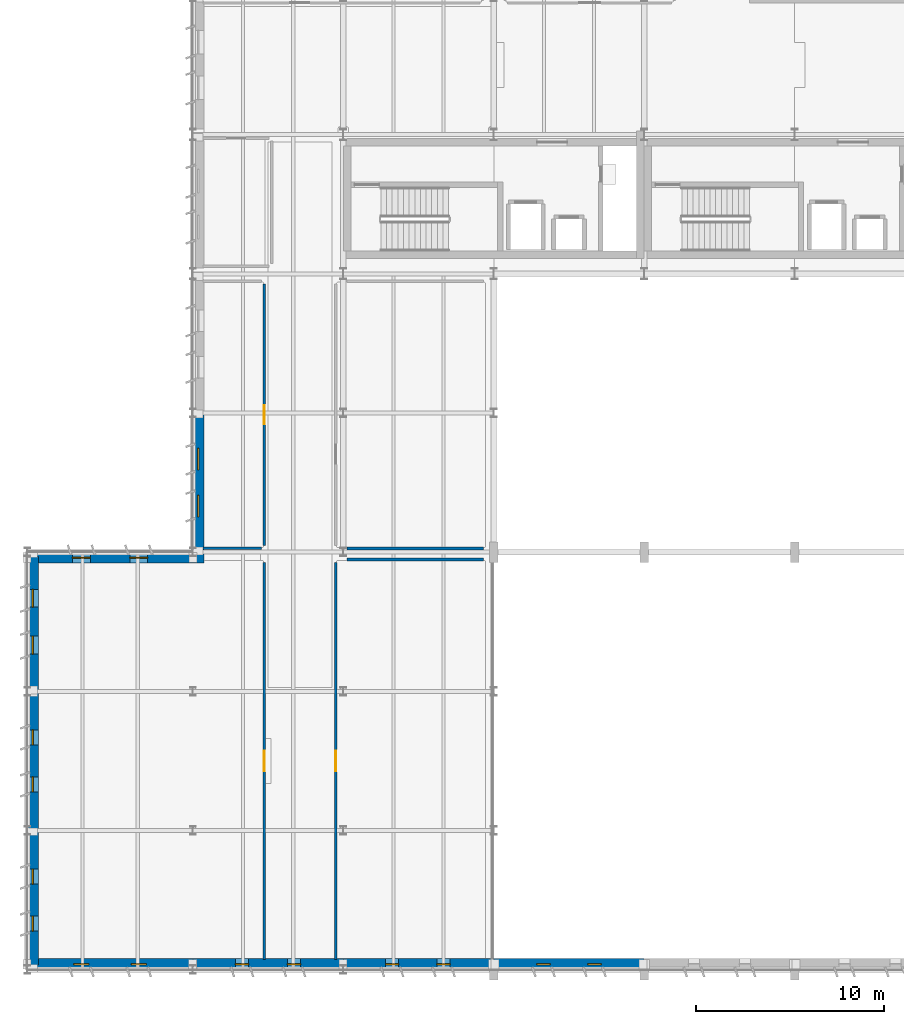
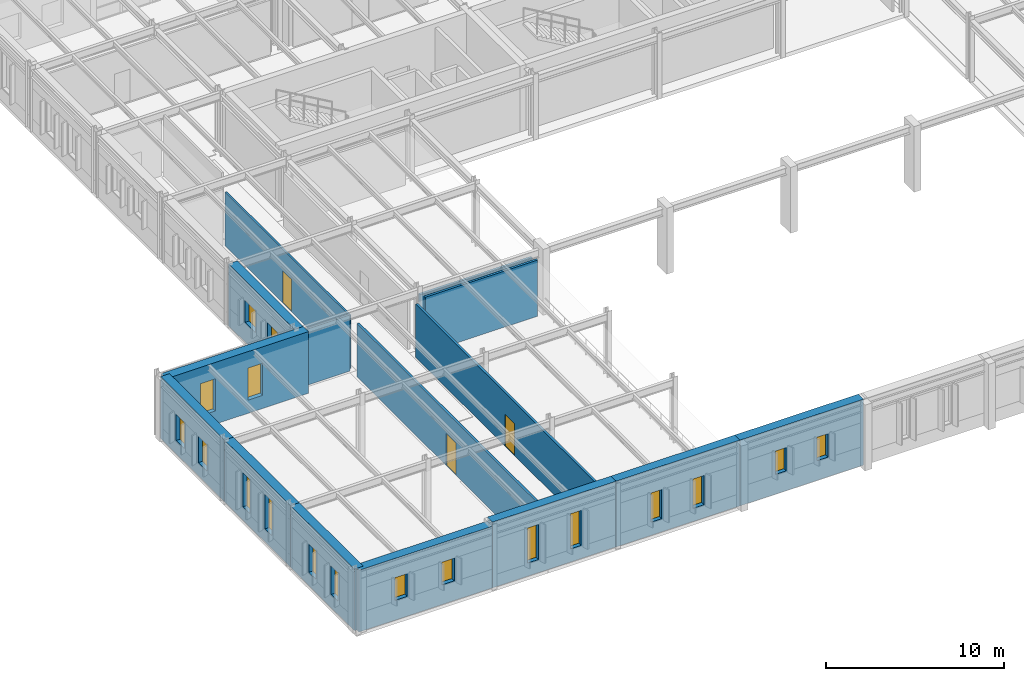
# One storey, part 40 of 75: 18 windows, 15 walls, 3 doors, 21 openings.
"""IFC4 building model written with IfcOpenShell, lengths in metres."""

import ifcopenshell
import ifcopenshell.guid

model = None  # the IFC model being written
_history = None  # IfcOwnerHistory: only IFC2X3 demands one
_inside = {}  # id of a spatial element -> (the spatial element, [elements in it])
_under = {}  # id of a project, library or spatial element -> (it, [spatial elements below it])
_declared = {}  # id of a project -> (the project, [libraries it declares])
_typed = {}  # id of a type object -> (the type object, [elements of that type])
_made_of = {}  # id of a material, layer set ... -> (it, [elements and type objects made of it])


def new_model(schema):
    """Start an empty IFC model of exactly this schema.

    Asked for "IFC4X3", IfcOpenShell would pick the latest addendum, in which some entities
    have other attributes; the version numbers below select the first issue.
    IFC2X3 requires an IfcOwnerHistory on every rooted entity: one is made here for all.
    """
    global model, _history
    if schema == "IFC4X3":
        model = ifcopenshell.file(schema_version=(4, 3, 0, 0))
    else:
        model = ifcopenshell.file(schema=schema)
    _inside.clear()
    _under.clear()
    _declared.clear()
    _typed.clear()
    _made_of.clear()
    _history = None
    if model.schema == "IFC2X3":
        org = make("IfcOrganization", Name="unknown")
        user = make(
            "IfcPersonAndOrganization",
            ThePerson=make("IfcPerson", FamilyName="unknown"),
            TheOrganization=org,
        )
        app = make(
            "IfcApplication",
            ApplicationDeveloper=org,
            Version="unknown",
            ApplicationFullName="unknown",
            ApplicationIdentifier="unknown",
        )
        _history = make(
            "IfcOwnerHistory",
            OwningUser=user,
            OwningApplication=app,
            ChangeAction="ADDED",
            CreationDate=0,
        )
    return model


def make(cls, **values):
    """One entity of the class cls with the attributes given. An attribute that is None is left unset."""
    return model.create_entity(
        cls, **{name: value for name, value in values.items() if value is not None}
    )


def rooted(cls, **values):
    """An entity with a GlobalId (a new one), such as an element, a storey or a relation."""
    return make(cls, GlobalId=ifcopenshell.guid.new(), OwnerHistory=_history, **values)


def si_unit(unit_type, name, prefix=None):
    """IfcSIUnit, for example si_unit("LENGTHUNIT", "METRE", prefix="MILLI")."""
    return make("IfcSIUnit", UnitType=unit_type, Prefix=prefix, Name=name)


def assignment(units):
    """IfcUnitAssignment: the units of a project."""
    return None if units is None else make("IfcUnitAssignment", Units=units)


def point(xyz):
    """IfcCartesianPoint."""
    return None if xyz is None else make("IfcCartesianPoint", Coordinates=xyz)


def direction(xyz):
    """IfcDirection."""
    return None if xyz is None else make("IfcDirection", DirectionRatios=xyz)


def frame(location, z_axis=None, x_axis=None):
    """IfcAxis2Placement3D, a coordinate frame: its origin and axes. An axis left out is left unset."""
    return make(
        "IfcAxis2Placement3D",
        Location=point(location),
        Axis=direction(z_axis),
        RefDirection=direction(x_axis),
    )


def frame_2d(location, x_axis=None):
    """IfcAxis2Placement2D, a coordinate frame in the plane: its origin and x axis."""
    return make(
        "IfcAxis2Placement2D", Location=point(location), RefDirection=direction(x_axis)
    )


def origin():
    """The frame at (0, 0, 0) with its axes left unset."""
    return frame((0.0, 0.0, 0.0))


def place(relative_to, where):
    """IfcLocalPlacement: puts the frame where relative to a parent placement (None: the world)."""
    return make(
        "IfcLocalPlacement", PlacementRelTo=relative_to, RelativePlacement=where
    )


def context(
    kind, dimensions, precision=None, world=None, true_north=None, identifier=None
):
    """IfcGeometricRepresentationContext, for example the 3D "Model" context."""
    return make(
        "IfcGeometricRepresentationContext",
        ContextIdentifier=identifier,
        ContextType=kind,
        CoordinateSpaceDimension=dimensions,
        Precision=precision,
        WorldCoordinateSystem=world,
        TrueNorth=true_north,
    )


def subcontext(parent, identifier, kind, view, scale=None):
    """IfcGeometricRepresentationSubContext, for example "Body" below "Model"."""
    return make(
        "IfcGeometricRepresentationSubContext",
        ContextIdentifier=identifier,
        ContextType=kind,
        ParentContext=parent,
        TargetScale=scale,
        TargetView=view,
    )


def project(units=None, contexts=None):
    """IfcProject with its units and contexts."""
    return rooted(
        "IfcProject",
        Name="project",
        RepresentationContexts=contexts,
        UnitsInContext=assignment(units),
    )


def spatial(cls, under=None, at=None, **own):
    """A site, building, storey or space (cls), placed at a placement, below another one or the project."""
    s = rooted(cls, ObjectPlacement=at, **own)
    if under is not None:
        _under.setdefault(under.id(), (under, []))[1].append(s)
    return s


def profile(cls, at=None, kind="AREA", **sizes):
    """A parametric profile (cls). Its sizes go by their IFC names, for example OverallWidth=200.0."""
    return make(cls, ProfileType=kind, Position=at, **sizes)


def rectangle(**sizes):
    """IfcRectangleProfileDef."""
    return profile("IfcRectangleProfileDef", **sizes)


def extrude(swept, where, along, depth):
    """IfcExtrudedAreaSolid: the profile swept, set in the frame where, extruded along a direction by depth."""
    return make(
        "IfcExtrudedAreaSolid",
        SweptArea=swept,
        Position=where,
        ExtrudedDirection=direction(along),
        Depth=depth,
    )


def shape(context_of_items, identifier, shape_type, items):
    """IfcShapeRepresentation: the items that make up one representation, for example the "Body"."""
    return make(
        "IfcShapeRepresentation",
        ContextOfItems=context_of_items,
        RepresentationIdentifier=identifier,
        RepresentationType=shape_type,
        Items=items,
    )


def material(Name=None, Category=None):
    """IfcMaterial."""
    return make("IfcMaterial", Name=Name, Category=Category)


def layer(
    of_material, thickness, ventilated=None, Name=None, Category=None, Priority=None
):
    """IfcMaterialLayer: one layer of a wall or slab, of a material (None: an air gap)."""
    return make(
        "IfcMaterialLayer",
        Material=of_material,
        LayerThickness=thickness,
        IsVentilated=ventilated,
        Name=Name,
        Category=Category,
        Priority=Priority,
    )


def layer_set(layers, Name=None):
    """IfcMaterialLayerSet."""
    return make("IfcMaterialLayerSet", MaterialLayers=layers, LayerSetName=Name)


def made_of(thing, what):
    """Note that an element or type object is made of a material, layer set ...; save() writes the relation."""
    if what is not None:
        _made_of.setdefault(what.id(), (what, []))[1].append(thing)
    return thing


def type_object(cls, material=None, **own):
    """A type object (cls), such as IfcWallType, which elements share."""
    return made_of(rooted(cls, **own), material)


def element(
    cls,
    number,
    at=None,
    inside=None,
    cuts=None,
    type_object=None,
    material=None,
    context=None,
    identifier="Body",
    shape_type=None,
    held_by="IfcProductDefinitionShape",
    body=None,
    shapes=None,
    **own,
):
    """One element of the class cls, such as IfcWall. Its Tag is "e" and its number.

    at: its placement. inside: the storey or other place that contains it. cuts: it is an
    opening in that element (IfcRelVoidsElement). A single representation is given by context,
    identifier, shape_type and body (its items); several are given by shapes. held_by: the class
    of the entity that holds the representations. save() writes the other relations.
    """
    e = rooted(cls, Tag="e%d" % number, ObjectPlacement=at, **own)
    if body is not None:
        shapes = [shape(context, identifier, shape_type, body)]
    if shapes is not None:
        e.Representation = make(held_by, Representations=shapes)
    if inside is not None:
        _inside.setdefault(inside.id(), (inside, []))[1].append(e)
    if cuts is not None:
        rooted(
            "IfcRelVoidsElement", RelatingBuildingElement=cuts, RelatedOpeningElement=e
        )
    if type_object is not None:
        _typed.setdefault(type_object.id(), (type_object, []))[1].append(e)
    return made_of(e, material)


def fill(opening, filler):
    """IfcRelFillsElement: the door or window that sits in an opening."""
    return rooted(
        "IfcRelFillsElement",
        RelatingOpeningElement=opening,
        RelatedBuildingElement=filler,
    )


def aggregate(whole, parts):
    """IfcRelAggregates: a whole, such as a stair, and the parts it consists of."""
    return rooted("IfcRelAggregates", RelatingObject=whole, RelatedObjects=parts)


def save(model, path):
    """Write the relations noted so far, then the file.

    IfcRelAggregates (storeys below a building ...), IfcRelContainedInSpatialStructure (elements
    in a storey), IfcRelDefinesByType, IfcRelAssociatesMaterial and IfcRelDeclares: one each for
    every whole, place, type object, material and project.
    """
    for whole, parts in _under.values():
        aggregate(whole, parts)
    for where, things in _inside.values():
        rooted(
            "IfcRelContainedInSpatialStructure",
            RelatedElements=things,
            RelatingStructure=where,
        )
    for kind, things in _typed.values():
        rooted("IfcRelDefinesByType", RelatedObjects=things, RelatingType=kind)
    for what, things in _made_of.values():
        rooted("IfcRelAssociatesMaterial", RelatedObjects=things, RelatingMaterial=what)
    for by, libraries in _declared.values():
        rooted("IfcRelDeclares", RelatingContext=by, RelatedDefinitions=libraries)
    model.write(path)


model = new_model("IFC4")

# Units and contexts
model_context = context("Model", 3, precision=1e-05, world=origin(), true_north=direction((0.0, 1.0)))
body_context = subcontext(model_context, "Body", "Model", "MODEL_VIEW")
ifc_project = project(units=[si_unit("LENGTHUNIT", "METRE"), si_unit("AREAUNIT", "SQUARE_METRE"), si_unit("VOLUMEUNIT", "CUBIC_METRE"), si_unit("PLANEANGLEUNIT", "RADIAN"), si_unit("MASSUNIT", "GRAM", prefix="KILO")], contexts=[model_context])

# Site, building, storey
site_placement = place(None, origin())
site = spatial("IfcSite", under=ifc_project, at=site_placement, CompositionType="ELEMENT")
building_placement = place(site_placement, origin())
building = spatial("IfcBuilding", under=site, at=building_placement, Name="Valkorina Park Police Headquarters", CompositionType="ELEMENT")
storey_placement = place(building_placement, frame((0.0, 0.0, 5.39990234375)))
storey = spatial("IfcBuildingStorey", under=building, at=storey_placement, Name="L02", CompositionType="ELEMENT", Elevation=5.39990234375)

# Wall, opening, door
ifc_material_1 = material(Name="Acoustic mineral board")
ifc_layer_1 = layer(ifc_material_1, 0.14990234375)
ifc_layer_set_1 = layer_set([ifc_layer_1], Name="Acoustic mineral board")
wall_type_1 = type_object("IfcWallType", Name="WL-ACOUST-150-EI30", PredefinedType="PARTITIONING", material=ifc_layer_set_1)
wall_1_placement = place(storey_placement, frame((12.60009765625, 0.5400390625, 0.0), z_axis=(0.0, 0.0, 1.0), x_axis=(0.0, 1.0, 0.0)))
wall_1 = element("IfcWall", 1, at=wall_1_placement, inside=storey, type_object=wall_type_1, Name="L02 Interior Partition 0110 (L02-PUB-01)", PredefinedType="PARTITIONING", context=body_context, shape_type="SweptSolid", body=[
    extrude(rectangle(XDim=21.119873046875, YDim=0.14990234375, at=frame_2d((10.56005859375, 0.0))), origin(), (0.0, 0.0, 1.0), 3.650146484375),
])
opening_1_placement = place(wall_1_placement, frame((10.010009765625, 0.0, 0.0)))
opening_1 = element("IfcOpeningElement", 2, at=opening_1_placement, cuts=wall_1, Name="Opening ID-05", PredefinedType="OPENING", context=body_context, shape_type="SweptSolid", body=[
    extrude(rectangle(XDim=1.10009765625, YDim=2.199951171875, at=frame_2d((0.550048828125, 1.10009765625))), frame((0.0, 0.0849609375, 0.0), z_axis=(0.0, -1.0, 0.0), x_axis=(1.0, 0.0, 0.0)), (0.0, 0.0, 1.0), 0.169921875),
])
ifc_material_2 = material(Name="Thermally broken aluminium AW-6060", Category="aluminium")
ifc_layer_2 = layer(ifc_material_2, 0.050048828125)
ifc_layer_set_2 = layer_set([ifc_layer_2], Name="Thermally broken aluminium AW-6060")
door_type_1 = type_object("IfcDoorType", Name="DR-INT-INV-1100x2200", OperationType="NOTDEFINED", PredefinedType="DOOR", material=ifc_layer_set_2)
door_1_placement = place(opening_1_placement, origin())
door_1 = element("IfcDoor", 3, at=door_1_placement, inside=storey, type_object=door_type_1, Name="Door D-L02-I051 (L02-PUB-01)", OperationType="SINGLE_SWING_RIGHT", OverallHeight=2.199951171875, OverallWidth=1.10009765625, PredefinedType="DOOR", context=body_context, shape_type="SweptSolid", body=[
    extrude(rectangle(XDim=1.10009765625, YDim=2.199951171875, at=frame_2d((0.550048828125, 1.10009765625))), frame((0.0, 0.02490234375, 0.0), z_axis=(0.0, -1.0, 0.0), x_axis=(1.0, 0.0, 0.0)), (0.0, 0.0, 1.0), 0.050048828125),
])
fill(opening_1, door_1)

# Wall
wall_2_placement = place(storey_placement, frame((16.989990234375, 21.800048828125, 0.0), z_axis=(0.0, 0.0, 1.0), x_axis=(1.0, 0.0, 0.0)))
element("IfcWall", 4, at=wall_2_placement, inside=storey, type_object=wall_type_1, Name="L02 Interior Partition 0111 (L02-PUB-02)", PredefinedType="PARTITIONING", context=body_context, shape_type="SweptSolid", body=[
    extrude(rectangle(XDim=7.27001953125, YDim=0.14990234375, at=frame_2d((3.635009765625, 0.0))), origin(), (0.0, 0.0, 1.0), 3.840087890625),
])

# Wall, opening, door
wall_3_placement = place(storey_placement, frame((16.39990234375, 0.5400390625, 0.0), z_axis=(0.0, 0.0, 1.0), x_axis=(0.0, 1.0, 0.0)))
wall_3 = element("IfcWall", 5, at=wall_3_placement, inside=storey, type_object=wall_type_1, Name="L02 Interior Partition 0112 (L02-PUB-02)", PredefinedType="PARTITIONING", context=body_context, shape_type="SweptSolid", body=[
    extrude(rectangle(XDim=21.119873046875, YDim=0.14990234375, at=frame_2d((10.56005859375, 0.0))), origin(), (0.0, 0.0, 1.0), 3.650146484375),
])
opening_2_placement = place(wall_3_placement, frame((10.010009765625, 0.0, 0.0)))
opening_2 = element("IfcOpeningElement", 6, at=opening_2_placement, cuts=wall_3, Name="Opening ID-05", PredefinedType="OPENING", context=body_context, shape_type="SweptSolid", body=[
    extrude(rectangle(XDim=1.10009765625, YDim=2.199951171875, at=frame_2d((0.550048828125, 1.10009765625))), frame((0.0, 0.0849609375, 0.0), z_axis=(0.0, -1.0, 0.0), x_axis=(1.0, 0.0, 0.0)), (0.0, 0.0, 1.0), 0.169921875),
])
door_2_placement = place(opening_2_placement, origin())
door_2 = element("IfcDoor", 7, at=door_2_placement, inside=storey, type_object=door_type_1, Name="Door D-L02-I052 (L02-PUB-02)", OperationType="SINGLE_SWING_LEFT", OverallHeight=2.199951171875, OverallWidth=1.10009765625, PredefinedType="DOOR", context=body_context, shape_type="SweptSolid", body=[
    extrude(rectangle(XDim=1.10009765625, YDim=2.199951171875, at=frame_2d((0.550048828125, 1.10009765625))), frame((0.0, 0.02490234375, 0.0), z_axis=(0.0, -1.0, 0.0), x_axis=(1.0, 0.0, 0.0)), (0.0, 0.0, 1.0), 0.050048828125),
])
fill(opening_2, door_2)

# Wall
wall_4_placement = place(storey_placement, frame((16.989990234375, 22.39990234375, 0.0), z_axis=(0.0, 0.0, 1.0), x_axis=(1.0, 0.0, 0.0)))
element("IfcWall", 8, at=wall_4_placement, inside=storey, type_object=wall_type_1, Name="L02 Interior Partition 0116 (L02-PUB-04)", PredefinedType="PARTITIONING", context=body_context, shape_type="SweptSolid", body=[
    extrude(rectangle(XDim=7.27001953125, YDim=0.14990234375, at=frame_2d((3.635009765625, 0.0))), origin(), (0.0, 0.0, 1.0), 3.650146484375),
])

# Wall, openings, windows
ifc_material_3 = material(Name="Concrete C35/45", Category="concrete")
ifc_layer_3 = layer(ifc_material_3, 0.580078125)
ifc_layer_set_3 = layer_set([ifc_layer_3], Name="Concrete C35/45")
wall_type_2 = type_object("IfcWallType", Name="WL-EXT-BOARD-580", PredefinedType="STANDARD", material=ifc_layer_set_3)
wall_5_placement = place(storey_placement, frame((32.800048828125, 0.2900390625, 0.0), z_axis=(0.0, 0.0, 1.0), x_axis=(-1.0, 0.0, 0.0)))
wall_5 = element("IfcWall", 9, at=wall_5_placement, inside=storey, type_object=wall_type_2, Name="L02 Architectural Concrete Exterior Wall 0099", PredefinedType="STANDARD", context=body_context, shape_type="SweptSolid", body=[
    extrude(rectangle(XDim=8.0, YDim=0.580078125, at=frame_2d((4.0, 0.0))), origin(), (0.0, 0.0, 1.0), 4.5),
])
opening_3_placement = place(wall_5_placement, frame((2.294677734375, 0.0, 1.35009765625)))
opening_3 = element("IfcOpeningElement", 10, at=opening_3_placement, cuts=wall_5, Name="Opening WN-07", PredefinedType="OPENING", context=body_context, shape_type="SweptSolid", body=[
    extrude(rectangle(XDim=0.699951171875, YDim=1.60009765625, at=frame_2d((0.35009765625, 0.800048828125))), frame((0.0, 0.300048828125, 0.0), z_axis=(0.0, -1.0, 0.0), x_axis=(1.0, 0.0, 0.0)), (0.0, 0.0, 1.0), 0.60009765625),
])
opening_4_placement = place(wall_5_placement, frame((5.00537109375, 0.0, 1.35009765625)))
opening_4 = element("IfcOpeningElement", 11, at=opening_4_placement, cuts=wall_5, Name="Opening WN-07", PredefinedType="OPENING", context=body_context, shape_type="SweptSolid", body=[
    extrude(rectangle(XDim=0.699951171875, YDim=1.60009765625, at=frame_2d((0.35009765625, 0.800048828125))), frame((0.0, 0.300048828125, 0.0), z_axis=(0.0, -1.0, 0.0), x_axis=(1.0, 0.0, 0.0)), (0.0, 0.0, 1.0), 0.60009765625),
])
ifc_material_4 = material(Name="Triple low-E insulated glazing", Category="glass")
ifc_layer_4 = layer(ifc_material_4, 0.06005859375)
ifc_layer_set_4 = layer_set([ifc_layer_4], Name="Triple low-E insulated glazing")
window_type_1 = type_object("IfcWindowType", Name="WN-SLOT-700x1600", PartitioningType="SINGLE_PANEL", PredefinedType="WINDOW", material=ifc_layer_set_4)
window_1_placement = place(opening_3_placement, origin())
window_1 = element("IfcWindow", 12, at=window_1_placement, inside=storey, type_object=window_type_1, Name="Window L02-0150", OverallHeight=1.60009765625, OverallWidth=0.699951171875, PartitioningType="SINGLE_PANEL", PredefinedType="WINDOW", context=body_context, shape_type="SweptSolid", body=[
    extrude(rectangle(XDim=0.699951171875, YDim=1.60009765625, at=frame_2d((0.35009765625, 0.800048828125))), frame((0.0, 0.030029296875, 0.0), z_axis=(0.0, -1.0, 0.0), x_axis=(1.0, 0.0, 0.0)), (0.0, 0.0, 1.0), 0.06005859375),
])
fill(opening_3, window_1)
window_2_placement = place(opening_4_placement, origin())
window_2 = element("IfcWindow", 13, at=window_2_placement, inside=storey, type_object=window_type_1, Name="Window L02-0151", OverallHeight=1.60009765625, OverallWidth=0.699951171875, PartitioningType="SINGLE_PANEL", PredefinedType="WINDOW", context=body_context, shape_type="SweptSolid", body=[
    extrude(rectangle(XDim=0.699951171875, YDim=1.60009765625, at=frame_2d((0.35009765625, 0.800048828125))), frame((0.0, 0.030029296875, 0.0), z_axis=(0.0, -1.0, 0.0), x_axis=(1.0, 0.0, 0.0)), (0.0, 0.0, 1.0), 0.06005859375),
])
fill(opening_4, window_2)

wall_6_placement = place(storey_placement, frame((24.800048828125, 0.2900390625, 0.0), z_axis=(0.0, 0.0, 1.0), x_axis=(-1.0, 0.0, 0.0)))
wall_6 = element("IfcWall", 14, at=wall_6_placement, inside=storey, type_object=wall_type_2, Name="L02 Architectural Concrete Exterior Wall 0100", PredefinedType="STANDARD", context=body_context, shape_type="SweptSolid", body=[
    extrude(rectangle(XDim=8.0, YDim=0.580078125, at=frame_2d((4.0, 0.0))), origin(), (0.0, 0.0, 1.0), 4.5),
])
opening_5_placement = place(wall_6_placement, frame((2.318603515625, 0.0, 0.89990234375)))
opening_5 = element("IfcOpeningElement", 15, at=opening_5_placement, cuts=wall_6, Name="Opening WN-08", PredefinedType="OPENING", context=body_context, shape_type="SweptSolid", body=[
    extrude(rectangle(XDim=0.699951171875, YDim=2.0, at=frame_2d((0.35009765625, 1.0))), frame((0.0, 0.300048828125, 0.0), z_axis=(0.0, -1.0, 0.0), x_axis=(1.0, 0.0, 0.0)), (0.0, 0.0, 1.0), 0.60009765625),
])
opening_6_placement = place(wall_6_placement, frame((5.056396484375, 0.0, 0.89990234375)))
opening_6 = element("IfcOpeningElement", 16, at=opening_6_placement, cuts=wall_6, Name="Opening WN-08", PredefinedType="OPENING", context=body_context, shape_type="SweptSolid", body=[
    extrude(rectangle(XDim=0.699951171875, YDim=2.0, at=frame_2d((0.35009765625, 1.0))), frame((0.0, 0.300048828125, 0.0), z_axis=(0.0, -1.0, 0.0), x_axis=(1.0, 0.0, 0.0)), (0.0, 0.0, 1.0), 0.60009765625),
])
ifc_layer_5 = layer(ifc_material_4, 0.06005859375)
ifc_layer_set_5 = layer_set([ifc_layer_5], Name="Triple low-E insulated glazing")
window_type_2 = type_object("IfcWindowType", Name="WN-SLOT-700x2000", PartitioningType="SINGLE_PANEL", PredefinedType="WINDOW", material=ifc_layer_set_5)
window_3_placement = place(opening_5_placement, origin())
window_3 = element("IfcWindow", 17, at=window_3_placement, inside=storey, type_object=window_type_2, Name="Window L02-0152", OverallHeight=2.0, OverallWidth=0.699951171875, PartitioningType="SINGLE_PANEL", PredefinedType="WINDOW", context=body_context, shape_type="SweptSolid", body=[
    extrude(rectangle(XDim=0.699951171875, YDim=2.0, at=frame_2d((0.35009765625, 1.0))), frame((0.0, 0.030029296875, 0.0), z_axis=(0.0, -1.0, 0.0), x_axis=(1.0, 0.0, 0.0)), (0.0, 0.0, 1.0), 0.06005859375),
])
fill(opening_5, window_3)
window_4_placement = place(opening_6_placement, origin())
window_4 = element("IfcWindow", 18, at=window_4_placement, inside=storey, type_object=window_type_2, Name="Window L02-0153", OverallHeight=2.0, OverallWidth=0.699951171875, PartitioningType="SINGLE_PANEL", PredefinedType="WINDOW", context=body_context, shape_type="SweptSolid", body=[
    extrude(rectangle(XDim=0.699951171875, YDim=2.0, at=frame_2d((0.35009765625, 1.0))), frame((0.0, 0.030029296875, 0.0), z_axis=(0.0, -1.0, 0.0), x_axis=(1.0, 0.0, 0.0)), (0.0, 0.0, 1.0), 0.06005859375),
])
fill(opening_6, window_4)

wall_7_placement = place(storey_placement, frame((16.800048828125, 0.2900390625, 0.0), z_axis=(0.0, 0.0, 1.0), x_axis=(-1.0, 0.0, 0.0)))
wall_7 = element("IfcWall", 19, at=wall_7_placement, inside=storey, type_object=wall_type_2, Name="L02 Architectural Concrete Exterior Wall 0101", PredefinedType="STANDARD", context=body_context, shape_type="SweptSolid", body=[
    extrude(rectangle(XDim=8.0, YDim=0.580078125, at=frame_2d((4.0, 0.0))), origin(), (0.0, 0.0, 1.0), 4.5),
])
opening_7_placement = place(wall_7_placement, frame((2.267578125, 0.0, 0.89990234375)))
opening_7 = element("IfcOpeningElement", 20, at=opening_7_placement, cuts=wall_7, Name="Opening WN-09", PredefinedType="OPENING", context=body_context, shape_type="SweptSolid", body=[
    extrude(rectangle(XDim=0.699951171875, YDim=2.39990234375, at=frame_2d((0.35009765625, 1.199951171875))), frame((0.0, 0.300048828125, 0.0), z_axis=(0.0, -1.0, 0.0), x_axis=(1.0, 0.0, 0.0)), (0.0, 0.0, 1.0), 0.60009765625),
])
opening_8_placement = place(wall_7_placement, frame((5.032470703125, 0.0, 0.89990234375)))
opening_8 = element("IfcOpeningElement", 21, at=opening_8_placement, cuts=wall_7, Name="Opening WN-09", PredefinedType="OPENING", context=body_context, shape_type="SweptSolid", body=[
    extrude(rectangle(XDim=0.699951171875, YDim=2.39990234375, at=frame_2d((0.35009765625, 1.199951171875))), frame((0.0, 0.300048828125, 0.0), z_axis=(0.0, -1.0, 0.0), x_axis=(1.0, 0.0, 0.0)), (0.0, 0.0, 1.0), 0.60009765625),
])
ifc_layer_6 = layer(ifc_material_4, 0.06005859375)
ifc_layer_set_6 = layer_set([ifc_layer_6], Name="Triple low-E insulated glazing")
window_type_3 = type_object("IfcWindowType", Name="WN-SLOT-700x2400", PartitioningType="SINGLE_PANEL", PredefinedType="WINDOW", material=ifc_layer_set_6)
window_5_placement = place(opening_7_placement, origin())
window_5 = element("IfcWindow", 22, at=window_5_placement, inside=storey, type_object=window_type_3, Name="Window L02-0154", OverallHeight=2.39990234375, OverallWidth=0.699951171875, PartitioningType="SINGLE_PANEL", PredefinedType="WINDOW", context=body_context, shape_type="SweptSolid", body=[
    extrude(rectangle(XDim=0.699951171875, YDim=2.39990234375, at=frame_2d((0.35009765625, 1.199951171875))), frame((0.0, 0.030029296875, 0.0), z_axis=(0.0, -1.0, 0.0), x_axis=(1.0, 0.0, 0.0)), (0.0, 0.0, 1.0), 0.06005859375),
])
fill(opening_7, window_5)
window_6_placement = place(opening_8_placement, origin())
window_6 = element("IfcWindow", 23, at=window_6_placement, inside=storey, type_object=window_type_3, Name="Window L02-0155", OverallHeight=2.39990234375, OverallWidth=0.699951171875, PartitioningType="SINGLE_PANEL", PredefinedType="WINDOW", context=body_context, shape_type="SweptSolid", body=[
    extrude(rectangle(XDim=0.699951171875, YDim=2.39990234375, at=frame_2d((0.35009765625, 1.199951171875))), frame((0.0, 0.030029296875, 0.0), z_axis=(0.0, -1.0, 0.0), x_axis=(1.0, 0.0, 0.0)), (0.0, 0.0, 1.0), 0.06005859375),
])
fill(opening_8, window_6)

wall_8_placement = place(storey_placement, frame((8.800048828125, 0.2900390625, 0.0), z_axis=(0.0, 0.0, 1.0), x_axis=(-1.0, 0.0, 0.0)))
wall_8 = element("IfcWall", 24, at=wall_8_placement, inside=storey, type_object=wall_type_2, Name="L02 Architectural Concrete Exterior Wall 0102", PredefinedType="STANDARD", context=body_context, shape_type="SweptSolid", body=[
    extrude(rectangle(XDim=8.64013671875, YDim=0.580078125, at=frame_2d((4.320068359375, 0.0))), origin(), (0.0, 0.0, 1.0), 4.22021484375),
])
opening_9_placement = place(wall_8_placement, frame((2.4736328125, 0.0, 1.35009765625)))
opening_9 = element("IfcOpeningElement", 25, at=opening_9_placement, cuts=wall_8, Name="Opening WN-10", PredefinedType="OPENING", context=body_context, shape_type="SweptSolid", body=[
    extrude(rectangle(XDim=0.800048828125, YDim=1.550048828125, at=frame_2d((0.39990234375, 0.77490234375))), frame((0.0, 0.300048828125, 0.0), z_axis=(0.0, -1.0, 0.0), x_axis=(1.0, 0.0, 0.0)), (0.0, 0.0, 1.0), 0.60009765625),
])
opening_10_placement = place(wall_8_placement, frame((5.5263671875, 0.0, 1.35009765625)))
opening_10 = element("IfcOpeningElement", 26, at=opening_10_placement, cuts=wall_8, Name="Opening WN-10", PredefinedType="OPENING", context=body_context, shape_type="SweptSolid", body=[
    extrude(rectangle(XDim=0.800048828125, YDim=1.550048828125, at=frame_2d((0.39990234375, 0.77490234375))), frame((0.0, 0.300048828125, 0.0), z_axis=(0.0, -1.0, 0.0), x_axis=(1.0, 0.0, 0.0)), (0.0, 0.0, 1.0), 0.60009765625),
])
ifc_layer_7 = layer(ifc_material_4, 0.06005859375)
ifc_layer_set_7 = layer_set([ifc_layer_7], Name="Triple low-E insulated glazing")
window_type_4 = type_object("IfcWindowType", Name="WN-SLOT-800x1550", PartitioningType="SINGLE_PANEL", PredefinedType="WINDOW", material=ifc_layer_set_7)
window_7_placement = place(opening_9_placement, origin())
window_7 = element("IfcWindow", 27, at=window_7_placement, inside=storey, type_object=window_type_4, Name="Window L02-0156", OverallHeight=1.550048828125, OverallWidth=0.800048828125, PartitioningType="SINGLE_PANEL", PredefinedType="WINDOW", context=body_context, shape_type="SweptSolid", body=[
    extrude(rectangle(XDim=0.800048828125, YDim=1.550048828125, at=frame_2d((0.39990234375, 0.77490234375))), frame((0.0, 0.030029296875, 0.0), z_axis=(0.0, -1.0, 0.0), x_axis=(1.0, 0.0, 0.0)), (0.0, 0.0, 1.0), 0.06005859375),
])
fill(opening_9, window_7)
window_8_placement = place(opening_10_placement, origin())
window_8 = element("IfcWindow", 28, at=window_8_placement, inside=storey, type_object=window_type_4, Name="Window L02-0157", OverallHeight=1.550048828125, OverallWidth=0.800048828125, PartitioningType="SINGLE_PANEL", PredefinedType="WINDOW", context=body_context, shape_type="SweptSolid", body=[
    extrude(rectangle(XDim=0.800048828125, YDim=1.550048828125, at=frame_2d((0.39990234375, 0.77490234375))), frame((0.0, 0.030029296875, 0.0), z_axis=(0.0, -1.0, 0.0), x_axis=(1.0, 0.0, 0.0)), (0.0, 0.0, 1.0), 0.06005859375),
])
fill(opening_10, window_8)

wall_9_placement = place(storey_placement, frame((0.2900390625, 0.235107421875, 0.0), z_axis=(0.0, 0.0, 1.0), x_axis=(0.0, 1.0, 0.0)))
wall_9 = element("IfcWall", 29, at=wall_9_placement, inside=storey, type_object=wall_type_2, Name="L02 Architectural Concrete Exterior Wall 0103", PredefinedType="STANDARD", context=body_context, shape_type="SweptSolid", body=[
    extrude(rectangle(XDim=7.164794921875, YDim=0.580078125, at=frame_2d((3.58251953125, 0.0))), origin(), (0.0, 0.0, 1.0), 4.22021484375),
])
opening_11_placement = place(wall_9_placement, frame((1.817626953125, 0.0, 0.89990234375)))
opening_11 = element("IfcOpeningElement", 30, at=opening_11_placement, cuts=wall_9, Name="Opening WN-11", PredefinedType="OPENING", context=body_context, shape_type="SweptSolid", body=[
    extrude(rectangle(XDim=0.800048828125, YDim=1.949951171875, at=frame_2d((0.39990234375, 0.97509765625))), frame((0.0, 0.300048828125, 0.0), z_axis=(0.0, -1.0, 0.0), x_axis=(1.0, 0.0, 0.0)), (0.0, 0.0, 1.0), 0.60009765625),
])
opening_12_placement = place(wall_9_placement, frame((4.3125, 0.0, 0.89990234375)))
opening_12 = element("IfcOpeningElement", 31, at=opening_12_placement, cuts=wall_9, Name="Opening WN-11", PredefinedType="OPENING", context=body_context, shape_type="SweptSolid", body=[
    extrude(rectangle(XDim=0.800048828125, YDim=1.949951171875, at=frame_2d((0.39990234375, 0.97509765625))), frame((0.0, 0.300048828125, 0.0), z_axis=(0.0, -1.0, 0.0), x_axis=(1.0, 0.0, 0.0)), (0.0, 0.0, 1.0), 0.60009765625),
])
ifc_layer_8 = layer(ifc_material_4, 0.06005859375)
ifc_layer_set_8 = layer_set([ifc_layer_8], Name="Triple low-E insulated glazing")
window_type_5 = type_object("IfcWindowType", Name="WN-SLOT-800x1950", PartitioningType="SINGLE_PANEL", PredefinedType="WINDOW", material=ifc_layer_set_8)
window_9_placement = place(opening_11_placement, origin())
window_9 = element("IfcWindow", 32, at=window_9_placement, inside=storey, type_object=window_type_5, Name="Window L02-0158", OverallHeight=1.949951171875, OverallWidth=0.800048828125, PartitioningType="SINGLE_PANEL", PredefinedType="WINDOW", context=body_context, shape_type="SweptSolid", body=[
    extrude(rectangle(XDim=0.800048828125, YDim=1.949951171875, at=frame_2d((0.39990234375, 0.97509765625))), frame((0.0, 0.030029296875, 0.0), z_axis=(0.0, -1.0, 0.0), x_axis=(1.0, 0.0, 0.0)), (0.0, 0.0, 1.0), 0.06005859375),
])
fill(opening_11, window_9)
window_10_placement = place(opening_12_placement, origin())
window_10 = element("IfcWindow", 33, at=window_10_placement, inside=storey, type_object=window_type_5, Name="Window L02-0159", OverallHeight=1.949951171875, OverallWidth=0.800048828125, PartitioningType="SINGLE_PANEL", PredefinedType="WINDOW", context=body_context, shape_type="SweptSolid", body=[
    extrude(rectangle(XDim=0.800048828125, YDim=1.949951171875, at=frame_2d((0.39990234375, 0.97509765625))), frame((0.0, 0.030029296875, 0.0), z_axis=(0.0, -1.0, 0.0), x_axis=(1.0, 0.0, 0.0)), (0.0, 0.0, 1.0), 0.06005859375),
])
fill(opening_12, window_10)

wall_10_placement = place(storey_placement, frame((0.2900390625, 7.39990234375, 0.0), z_axis=(0.0, 0.0, 1.0), x_axis=(0.0, 1.0, 0.0)))
wall_10 = element("IfcWall", 34, at=wall_10_placement, inside=storey, type_object=wall_type_2, Name="L02 Architectural Concrete Exterior Wall 0104", PredefinedType="STANDARD", context=body_context, shape_type="SweptSolid", body=[
    extrude(rectangle(XDim=7.400146484375, YDim=0.580078125, at=frame_2d((3.7001953125, 0.0))), origin(), (0.0, 0.0, 1.0), 4.22021484375),
])
opening_13_placement = place(wall_10_placement, frame((2.052490234375, 0.0, 0.89990234375)))
opening_13 = element("IfcOpeningElement", 35, at=opening_13_placement, cuts=wall_10, Name="Opening WN-12", PredefinedType="OPENING", context=body_context, shape_type="SweptSolid", body=[
    extrude(rectangle(XDim=0.800048828125, YDim=2.35009765625, at=frame_2d((0.39990234375, 1.175048828125))), frame((0.0, 0.300048828125, 0.0), z_axis=(0.0, -1.0, 0.0), x_axis=(1.0, 0.0, 0.0)), (0.0, 0.0, 1.0), 0.60009765625),
])
opening_14_placement = place(wall_10_placement, frame((4.54736328125, 0.0, 0.89990234375)))
opening_14 = element("IfcOpeningElement", 36, at=opening_14_placement, cuts=wall_10, Name="Opening WN-12", PredefinedType="OPENING", context=body_context, shape_type="SweptSolid", body=[
    extrude(rectangle(XDim=0.800048828125, YDim=2.35009765625, at=frame_2d((0.39990234375, 1.175048828125))), frame((0.0, 0.300048828125, 0.0), z_axis=(0.0, -1.0, 0.0), x_axis=(1.0, 0.0, 0.0)), (0.0, 0.0, 1.0), 0.60009765625),
])
ifc_layer_9 = layer(ifc_material_4, 0.06005859375)
ifc_layer_set_9 = layer_set([ifc_layer_9], Name="Triple low-E insulated glazing")
window_type_6 = type_object("IfcWindowType", Name="WN-SLOT-800x2350", PartitioningType="SINGLE_PANEL", PredefinedType="WINDOW", material=ifc_layer_set_9)
window_11_placement = place(opening_13_placement, origin())
window_11 = element("IfcWindow", 37, at=window_11_placement, inside=storey, type_object=window_type_6, Name="Window L02-0160", OverallHeight=2.35009765625, OverallWidth=0.800048828125, PartitioningType="SINGLE_PANEL", PredefinedType="WINDOW", context=body_context, shape_type="SweptSolid", body=[
    extrude(rectangle(XDim=0.800048828125, YDim=2.35009765625, at=frame_2d((0.39990234375, 1.175048828125))), frame((0.0, 0.030029296875, 0.0), z_axis=(0.0, -1.0, 0.0), x_axis=(1.0, 0.0, 0.0)), (0.0, 0.0, 1.0), 0.06005859375),
])
fill(opening_13, window_11)
window_12_placement = place(opening_14_placement, origin())
window_12 = element("IfcWindow", 38, at=window_12_placement, inside=storey, type_object=window_type_6, Name="Window L02-0161", OverallHeight=2.35009765625, OverallWidth=0.800048828125, PartitioningType="SINGLE_PANEL", PredefinedType="WINDOW", context=body_context, shape_type="SweptSolid", body=[
    extrude(rectangle(XDim=0.800048828125, YDim=2.35009765625, at=frame_2d((0.39990234375, 1.175048828125))), frame((0.0, 0.030029296875, 0.0), z_axis=(0.0, -1.0, 0.0), x_axis=(1.0, 0.0, 0.0)), (0.0, 0.0, 1.0), 0.06005859375),
])
fill(opening_14, window_12)

wall_11_placement = place(storey_placement, frame((0.2900390625, 14.800048828125, 0.0), z_axis=(0.0, 0.0, 1.0), x_axis=(0.0, 1.0, 0.0)))
wall_11 = element("IfcWall", 39, at=wall_11_placement, inside=storey, type_object=wall_type_2, Name="L02 Architectural Concrete Exterior Wall 0105", PredefinedType="STANDARD", context=body_context, shape_type="SweptSolid", body=[
    extrude(rectangle(XDim=7.1650390625, YDim=0.580078125, at=frame_2d((3.58251953125, 0.0))), origin(), (0.0, 0.0, 1.0), 4.22021484375),
])
opening_15_placement = place(wall_11_placement, frame((1.9775390625, 0.0, 0.89990234375)))
opening_15 = element("IfcOpeningElement", 40, at=opening_15_placement, cuts=wall_11, Name="Opening WN-17", PredefinedType="OPENING", context=body_context, shape_type="SweptSolid", body=[
    extrude(rectangle(XDim=0.949951171875, YDim=1.800048828125, at=frame_2d((0.47509765625, 0.89990234375))), frame((0.0, 0.300048828125, 0.0), z_axis=(0.0, -1.0, 0.0), x_axis=(1.0, 0.0, 0.0)), (0.0, 0.0, 1.0), 0.60009765625),
])
opening_16_placement = place(wall_11_placement, frame((4.472412109375, 0.0, 0.89990234375)))
opening_16 = element("IfcOpeningElement", 41, at=opening_16_placement, cuts=wall_11, Name="Opening WN-17", PredefinedType="OPENING", context=body_context, shape_type="SweptSolid", body=[
    extrude(rectangle(XDim=0.949951171875, YDim=1.800048828125, at=frame_2d((0.47509765625, 0.89990234375))), frame((0.0, 0.300048828125, 0.0), z_axis=(0.0, -1.0, 0.0), x_axis=(1.0, 0.0, 0.0)), (0.0, 0.0, 1.0), 0.60009765625),
])
ifc_layer_10 = layer(ifc_material_4, 0.06005859375)
ifc_layer_set_10 = layer_set([ifc_layer_10], Name="Triple low-E insulated glazing")
window_type_7 = type_object("IfcWindowType", Name="WN-SLOT-950x1800", PartitioningType="SINGLE_PANEL", PredefinedType="WINDOW", material=ifc_layer_set_10)
window_13_placement = place(opening_15_placement, origin())
window_13 = element("IfcWindow", 42, at=window_13_placement, inside=storey, type_object=window_type_7, Name="Window L02-0162", OverallHeight=1.800048828125, OverallWidth=0.949951171875, PartitioningType="SINGLE_PANEL", PredefinedType="WINDOW", context=body_context, shape_type="SweptSolid", body=[
    extrude(rectangle(XDim=0.949951171875, YDim=1.800048828125, at=frame_2d((0.47509765625, 0.89990234375))), frame((0.0, 0.030029296875, 0.0), z_axis=(0.0, -1.0, 0.0), x_axis=(1.0, 0.0, 0.0)), (0.0, 0.0, 1.0), 0.06005859375),
])
fill(opening_15, window_13)
window_14_placement = place(opening_16_placement, origin())
window_14 = element("IfcWindow", 43, at=window_14_placement, inside=storey, type_object=window_type_7, Name="Window L02-0163", OverallHeight=1.800048828125, OverallWidth=0.949951171875, PartitioningType="SINGLE_PANEL", PredefinedType="WINDOW", context=body_context, shape_type="SweptSolid", body=[
    extrude(rectangle(XDim=0.949951171875, YDim=1.800048828125, at=frame_2d((0.47509765625, 0.89990234375))), frame((0.0, 0.030029296875, 0.0), z_axis=(0.0, -1.0, 0.0), x_axis=(1.0, 0.0, 0.0)), (0.0, 0.0, 1.0), 0.06005859375),
])
fill(opening_16, window_14)

wall_12_placement = place(storey_placement, frame((0.159912109375, 21.909912109375, 0.0), z_axis=(0.0, 0.0, 1.0), x_axis=(1.0, 0.0, 0.0)))
wall_12 = element("IfcWall", 44, at=wall_12_placement, inside=storey, type_object=wall_type_2, Name="L02 Architectural Concrete Exterior Wall 0106", PredefinedType="STANDARD", context=body_context, shape_type="SweptSolid", body=[
    extrude(rectangle(XDim=9.219970703125, YDim=0.580078125, at=frame_2d((4.60986328125, 0.0))), origin(), (0.0, 0.0, 1.0), 4.22021484375),
])
opening_17_placement = place(wall_12_placement, frame((2.238525390625, 0.0, 0.89990234375)))
opening_17 = element("IfcOpeningElement", 45, at=opening_17_placement, cuts=wall_12, Name="Opening WN-18", PredefinedType="OPENING", context=body_context, shape_type="SweptSolid", body=[
    extrude(rectangle(XDim=0.949951171875, YDim=2.199951171875, at=frame_2d((0.47509765625, 1.10009765625))), frame((0.0, 0.300048828125, 0.0), z_axis=(0.0, -1.0, 0.0), x_axis=(1.0, 0.0, 0.0)), (0.0, 0.0, 1.0), 0.60009765625),
])
opening_18_placement = place(wall_12_placement, frame((5.29150390625, 0.0, 0.89990234375)))
opening_18 = element("IfcOpeningElement", 46, at=opening_18_placement, cuts=wall_12, Name="Opening WN-18", PredefinedType="OPENING", context=body_context, shape_type="SweptSolid", body=[
    extrude(rectangle(XDim=0.949951171875, YDim=2.199951171875, at=frame_2d((0.47509765625, 1.10009765625))), frame((0.0, 0.300048828125, 0.0), z_axis=(0.0, -1.0, 0.0), x_axis=(1.0, 0.0, 0.0)), (0.0, 0.0, 1.0), 0.60009765625),
])
ifc_layer_11 = layer(ifc_material_4, 0.06005859375)
ifc_layer_set_11 = layer_set([ifc_layer_11], Name="Triple low-E insulated glazing")
window_type_8 = type_object("IfcWindowType", Name="WN-SLOT-950x2200", PartitioningType="SINGLE_PANEL", PredefinedType="WINDOW", material=ifc_layer_set_11)
window_15_placement = place(opening_17_placement, origin())
window_15 = element("IfcWindow", 47, at=window_15_placement, inside=storey, type_object=window_type_8, Name="Window L02-0164", OverallHeight=2.199951171875, OverallWidth=0.949951171875, PartitioningType="SINGLE_PANEL", PredefinedType="WINDOW", context=body_context, shape_type="SweptSolid", body=[
    extrude(rectangle(XDim=0.949951171875, YDim=2.199951171875, at=frame_2d((0.47509765625, 1.10009765625))), frame((0.0, 0.030029296875, 0.0), z_axis=(0.0, -1.0, 0.0), x_axis=(1.0, 0.0, 0.0)), (0.0, 0.0, 1.0), 0.06005859375),
])
fill(opening_17, window_15)
window_16_placement = place(opening_18_placement, origin())
window_16 = element("IfcWindow", 48, at=window_16_placement, inside=storey, type_object=window_type_8, Name="Window L02-0165", OverallHeight=2.199951171875, OverallWidth=0.949951171875, PartitioningType="SINGLE_PANEL", PredefinedType="WINDOW", context=body_context, shape_type="SweptSolid", body=[
    extrude(rectangle(XDim=0.949951171875, YDim=2.199951171875, at=frame_2d((0.47509765625, 1.10009765625))), frame((0.0, 0.030029296875, 0.0), z_axis=(0.0, -1.0, 0.0), x_axis=(1.0, 0.0, 0.0)), (0.0, 0.0, 1.0), 0.06005859375),
])
fill(opening_18, window_16)

wall_13_placement = place(storey_placement, frame((9.090087890625, 22.199951171875, 0.0), z_axis=(0.0, 0.0, 1.0), x_axis=(0.0, 1.0, 0.0)))
wall_13 = element("IfcWall", 49, at=wall_13_placement, inside=storey, type_object=wall_type_2, Name="L02 Architectural Concrete Exterior Wall 0107", PredefinedType="STANDARD", context=body_context, shape_type="SweptSolid", body=[
    extrude(rectangle(XDim=7.400146484375, YDim=0.580078125, at=frame_2d((3.7001953125, 0.0))), origin(), (0.0, 0.0, 1.0), 4.22021484375),
])
opening_19_placement = place(wall_13_placement, frame((1.877685546875, 0.0, 1.35009765625)))
opening_19 = element("IfcOpeningElement", 50, at=opening_19_placement, cuts=wall_13, Name="Opening WN-19", PredefinedType="OPENING", context=body_context, shape_type="SweptSolid", body=[
    extrude(rectangle(XDim=1.14990234375, YDim=1.5, at=frame_2d((0.574951171875, 0.75))), frame((0.0, 0.300048828125, 0.0), z_axis=(0.0, -1.0, 0.0), x_axis=(1.0, 0.0, 0.0)), (0.0, 0.0, 1.0), 0.60009765625),
])
opening_20_placement = place(wall_13_placement, frame((4.372314453125, 0.0, 1.35009765625)))
opening_20 = element("IfcOpeningElement", 51, at=opening_20_placement, cuts=wall_13, Name="Opening WN-19", PredefinedType="OPENING", context=body_context, shape_type="SweptSolid", body=[
    extrude(rectangle(XDim=1.14990234375, YDim=1.5, at=frame_2d((0.574951171875, 0.75))), frame((0.0, 0.300048828125, 0.0), z_axis=(0.0, -1.0, 0.0), x_axis=(1.0, 0.0, 0.0)), (0.0, 0.0, 1.0), 0.60009765625),
])
ifc_layer_12 = layer(ifc_material_4, 0.06005859375)
ifc_layer_set_12 = layer_set([ifc_layer_12], Name="Triple low-E insulated glazing")
window_type_9 = type_object("IfcWindowType", Name="WN-LAB-1150x1500", PartitioningType="SINGLE_PANEL", PredefinedType="WINDOW", material=ifc_layer_set_12)
window_17_placement = place(opening_19_placement, origin())
window_17 = element("IfcWindow", 52, at=window_17_placement, inside=storey, type_object=window_type_9, Name="Window L02-0166", OverallHeight=1.5, OverallWidth=1.14990234375, PartitioningType="SINGLE_PANEL", PredefinedType="WINDOW", context=body_context, shape_type="SweptSolid", body=[
    extrude(rectangle(XDim=1.14990234375, YDim=1.5, at=frame_2d((0.574951171875, 0.75))), frame((0.0, 0.030029296875, 0.0), z_axis=(0.0, -1.0, 0.0), x_axis=(1.0, 0.0, 0.0)), (0.0, 0.0, 1.0), 0.06005859375),
])
fill(opening_19, window_17)
window_18_placement = place(opening_20_placement, origin())
window_18 = element("IfcWindow", 53, at=window_18_placement, inside=storey, type_object=window_type_9, Name="Window L02-0167", OverallHeight=1.5, OverallWidth=1.14990234375, PartitioningType="SINGLE_PANEL", PredefinedType="WINDOW", context=body_context, shape_type="SweptSolid", body=[
    extrude(rectangle(XDim=1.14990234375, YDim=1.5, at=frame_2d((0.574951171875, 0.75))), frame((0.0, 0.030029296875, 0.0), z_axis=(0.0, -1.0, 0.0), x_axis=(1.0, 0.0, 0.0)), (0.0, 0.0, 1.0), 0.06005859375),
])
fill(opening_20, window_18)

# Wall
ifc_material_5 = material(Name="Gypsum plasterboard")
ifc_layer_13 = layer(ifc_material_5, 0.125)
ifc_layer_set_13 = layer_set([ifc_layer_13], Name="Gypsum plasterboard")
wall_type_3 = type_object("IfcWallType", Name="WL-PART-125-EI30", PredefinedType="PARTITIONING", material=ifc_layer_set_13)
wall_14_placement = place(storey_placement, frame((9.340087890625, 22.39990234375, 0.0), z_axis=(0.0, 0.0, 1.0), x_axis=(1.0, 0.0, 0.0)))
element("IfcWall", 54, at=wall_14_placement, inside=storey, type_object=wall_type_3, Name="L02 Interior Partition 0113 (L02-PUB-03)", PredefinedType="PARTITIONING", context=body_context, shape_type="SweptSolid", body=[
    extrude(rectangle(XDim=3.119873046875, YDim=0.125, at=frame_2d((1.56005859375, 0.0))), origin(), (0.0, 0.0, 1.0), 3.840087890625),
])

# Wall, opening, door
wall_15_placement = place(storey_placement, frame((12.60009765625, 22.5400390625, 0.0), z_axis=(0.0, 0.0, 1.0), x_axis=(0.0, 1.0, 0.0)))
wall_15 = element("IfcWall", 55, at=wall_15_placement, inside=storey, type_object=wall_type_3, Name="L02 Interior Partition 0115 (L02-PUB-03)", PredefinedType="PARTITIONING", context=body_context, shape_type="SweptSolid", body=[
    extrude(rectangle(XDim=13.919921875, YDim=0.125, at=frame_2d((6.9599609375, 0.0))), origin(), (0.0, 0.0, 1.0), 3.650146484375),
])
opening_21_placement = place(wall_15_placement, frame((6.4599609375, 0.0, 0.0)))
opening_21 = element("IfcOpeningElement", 56, at=opening_21_placement, cuts=wall_15, Name="Opening ID-04", PredefinedType="OPENING", context=body_context, shape_type="SweptSolid", body=[
    extrude(rectangle(XDim=1.0, YDim=2.199951171875, at=frame_2d((0.5, 1.10009765625))), frame((0.0, 0.072509765625, 0.0), z_axis=(0.0, -1.0, 0.0), x_axis=(1.0, 0.0, 0.0)), (0.0, 0.0, 1.0), 0.14501953125),
])
ifc_layer_14 = layer(ifc_material_2, 0.050048828125)
ifc_layer_set_14 = layer_set([ifc_layer_14], Name="Thermally broken aluminium AW-6060")
door_type_2 = type_object("IfcDoorType", Name="DR-INT-OFF-1000x2200", OperationType="NOTDEFINED", PredefinedType="DOOR", material=ifc_layer_set_14)
door_3_placement = place(opening_21_placement, origin())
door_3 = element("IfcDoor", 57, at=door_3_placement, inside=storey, type_object=door_type_2, Name="Door D-L02-I053 (L02-PUB-03)", OperationType="SINGLE_SWING_RIGHT", OverallHeight=2.199951171875, OverallWidth=1.0, PredefinedType="DOOR", context=body_context, shape_type="SweptSolid", body=[
    extrude(rectangle(XDim=1.0, YDim=2.199951171875, at=frame_2d((0.5, 1.10009765625))), frame((0.0, 0.02490234375, 0.0), z_axis=(0.0, -1.0, 0.0), x_axis=(1.0, 0.0, 0.0)), (0.0, 0.0, 1.0), 0.050048828125),
])
fill(opening_21, door_3)

save(model, "model.ifc")
